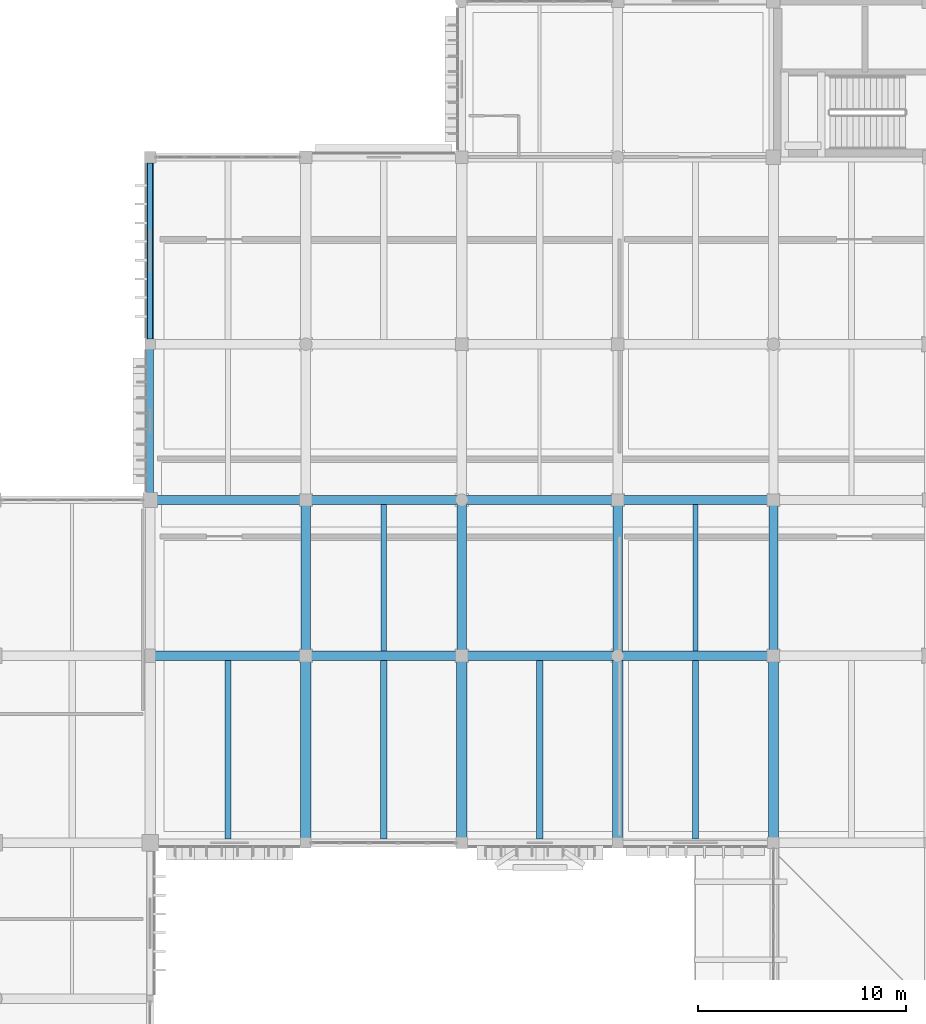
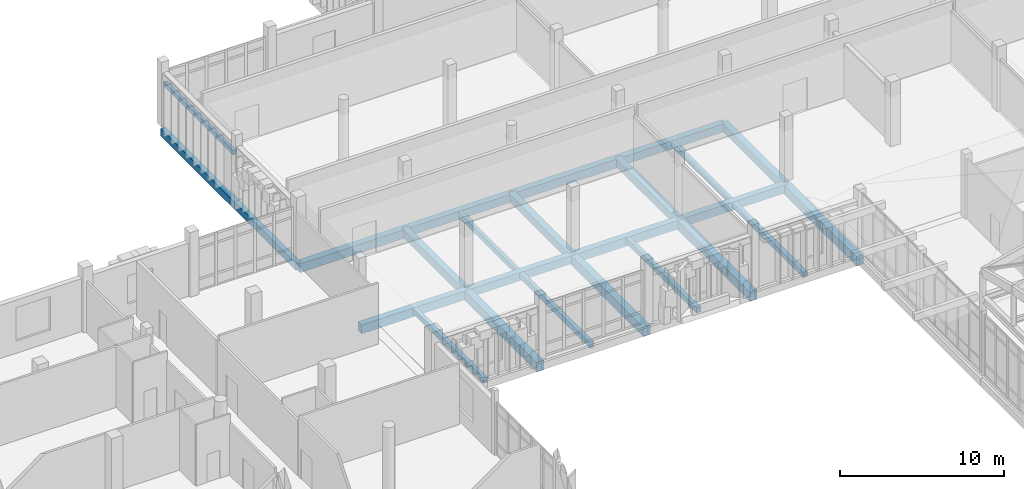
# One storey, part 55 of 131: 25 beams.
"""IFC4 building model written with IfcOpenShell, lengths in metres."""

from ifc_helpers import new_model, si_unit, direction, frame, origin, origin_2d, place, context, subcontext, project, spatial, rectangle, extrude, material, material_profile, profile_set, type_object, element, save


model = new_model("IFC4")

# Units and contexts
model_context = context("Model", 3, precision=1e-05, world=origin(), true_north=direction((0.0, 1.0)))
body_context = subcontext(model_context, "Body", "Model", "MODEL_VIEW")
ifc_project = project(units=[si_unit("LENGTHUNIT", "METRE"), si_unit("AREAUNIT", "SQUARE_METRE"), si_unit("VOLUMEUNIT", "CUBIC_METRE"), si_unit("PLANEANGLEUNIT", "RADIAN"), si_unit("MASSUNIT", "GRAM", prefix="KILO")], contexts=[model_context])

# Site, building, storey
site_placement = place(None, origin())
site = spatial("IfcSite", under=ifc_project, at=site_placement, CompositionType="ELEMENT")
building_placement = place(site_placement, origin())
building = spatial("IfcBuilding", under=site, at=building_placement, Name="Dalvernix Boulevard General Hospital", CompositionType="ELEMENT")
storey_placement = place(building_placement, frame((0.0, 0.0, 9.300048828125)))
storey = spatial("IfcBuildingStorey", under=building, at=storey_placement, Name="L02", CompositionType="ELEMENT", Elevation=9.300048828125)

# Beams
ifc_material_1 = material(Name="Concrete C35/45", Category="concrete")
ifc_material_profile_1 = material_profile(ifc_material_1, rectangle(XDim=0.5, YDim=0.699951171875, at=origin_2d()), Name="RCB 500x700")
ifc_profile_set_1 = profile_set([ifc_material_profile_1], Name="Concrete C35/45")
beam_type_1 = type_object("IfcBeamType", Name="BM-B-01-I", PredefinedType="BEAM", material=ifc_profile_set_1)
for number, where, z_axis, x_axis, name in (
    (1, (37.5, 76.5, -0.670166015625), (0.0, 1.0, 0.0), (-1.0, 0.0, 0.0), "L02 N-S girder 6:L-M"),
    (2, (45.0, 76.5, -0.670166015625), (0.0, 1.0, 0.0), (-1.0, 0.0, 0.0), "L02 N-S girder 7:L-M"),
    (3, (52.5, 76.5, -0.670166015625), (0.0, 1.0, 0.0), (-1.0, 0.0, 0.0), "L02 N-S girder 8:L-M"),
    (4, (60.0, 76.5, -0.670166015625), (0.0, 1.0, 0.0), (-1.0, 0.0, 0.0), "L02 N-S girder 9:L-M"),
):
    element("IfcBeam", number, at=place(storey_placement, frame(where, z_axis=z_axis, x_axis=x_axis)), inside=storey, type_object=beam_type_1, Name=name, PredefinedType="BEAM", context=body_context, shape_type="SweptSolid", body=[
        extrude(rectangle(XDim=0.5, YDim=0.699951171875, at=origin_2d()), origin(), (0.0, 0.0, 1.0), 9.0),
    ])
ifc_material_profile_2 = material_profile(ifc_material_1, rectangle(XDim=0.449951171875, YDim=0.64990234375, at=origin_2d()), Name="RCB 450x650")
ifc_profile_set_2 = profile_set([ifc_material_profile_2], Name="Concrete C35/45")
beam_type_2 = type_object("IfcBeamType", Name="BM-B-03-I", PredefinedType="BEAM", material=ifc_profile_set_2)
for number, where, z_axis, x_axis, name in (
    (5, (30.0, 85.5, -0.64501953125), (1.0, 0.0, 0.0), (0.0, 1.0, 0.0), "L02 E-W girder M:5-6"),
    (6, (45.0, 85.5, -0.64501953125), (1.0, 0.0, 0.0), (0.0, 1.0, 0.0), "L02 E-W girder M:7-8"),
    (7, (30.0, 93.0, -0.64501953125), (1.0, 0.0, 0.0), (0.0, 1.0, 0.0), "L02 E-W girder N:5-6"),
    (8, (45.0, 93.0, -0.64501953125), (1.0, 0.0, 0.0), (0.0, 1.0, 0.0), "L02 E-W girder N:7-8"),
):
    element("IfcBeam", number, at=place(storey_placement, frame(where, z_axis=z_axis, x_axis=x_axis)), inside=storey, type_object=beam_type_2, Name=name, PredefinedType="BEAM", context=body_context, shape_type="SweptSolid", body=[
        extrude(rectangle(XDim=0.449951171875, YDim=0.64990234375, at=origin_2d()), origin(), (0.0, 0.0, 1.0), 7.5),
    ])
ifc_material_profile_3 = material_profile(ifc_material_1, rectangle(XDim=0.449951171875, YDim=0.60009765625, at=origin_2d()), Name="RCB 450x600")
ifc_profile_set_3 = profile_set([ifc_material_profile_3], Name="Concrete C35/45")
beam_type_3 = type_object("IfcBeamType", Name="BM-B-04-I", PredefinedType="BEAM", material=ifc_profile_set_3)
for number, where, z_axis, x_axis, name in (
    (9, (37.5, 85.5, -0.6201171875), (1.0, 0.0, 0.0), (0.0, 1.0, 0.0), "L02 E-W girder M:6-7"),
    (10, (52.5, 85.5, -0.6201171875), (1.0, 0.0, 0.0), (0.0, 1.0, 0.0), "L02 E-W girder M:8-9"),
    (11, (37.5, 93.0, -0.6201171875), (1.0, 0.0, 0.0), (0.0, 1.0, 0.0), "L02 E-W girder N:6-7"),
    (12, (52.5, 93.0, -0.6201171875), (1.0, 0.0, 0.0), (0.0, 1.0, 0.0), "L02 E-W girder N:8-9"),
    (13, (37.5, 85.5, -0.6201171875), (0.0, 1.0, 0.0), (-1.0, 0.0, 0.0), "L02 N-S girder 6:M-N"),
    (14, (45.0, 85.5, -0.6201171875), (0.0, 1.0, 0.0), (-1.0, 0.0, 0.0), "L02 N-S girder 7:M-N"),
    (15, (52.5, 85.5, -0.6201171875), (0.0, 1.0, 0.0), (-1.0, 0.0, 0.0), "L02 N-S girder 8:M-N"),
    (16, (60.0, 85.5, -0.6201171875), (0.0, 1.0, 0.0), (-1.0, 0.0, 0.0), "L02 N-S girder 9:M-N"),
):
    element("IfcBeam", number, at=place(storey_placement, frame(where, z_axis=z_axis, x_axis=x_axis)), inside=storey, type_object=beam_type_3, Name=name, PredefinedType="BEAM", context=body_context, shape_type="SweptSolid", body=[
        extrude(rectangle(XDim=0.449951171875, YDim=0.60009765625, at=origin_2d()), origin(), (0.0, 0.0, 1.0), 7.5),
    ])
ifc_material_profile_4 = material_profile(ifc_material_1, rectangle(XDim=0.300048828125, YDim=0.39990234375, at=origin_2d()), Name="RCB 300x400")
ifc_profile_set_4 = profile_set([ifc_material_profile_4], Name="Concrete C35/45")
beam_type_4 = type_object("IfcBeamType", Name="BM-JB-01", PredefinedType="JOIST", material=ifc_profile_set_4)
for number, where, z_axis, x_axis, name in (
    (17, (33.75, 76.675048828125, -0.52001953125), (0.0, 1.0, 0.0), (-1.0, 0.0, 0.0), "L02 secondary floor beam 5-L"),
    (18, (41.25, 76.675048828125, -0.52001953125), (0.0, 1.0, 0.0), (-1.0, 0.0, 0.0), "L02 secondary floor beam 6-L"),
    (19, (48.75, 76.675048828125, -0.52001953125), (0.0, 1.0, 0.0), (-1.0, 0.0, 0.0), "L02 secondary floor beam 7-L"),
    (20, (56.25, 76.675048828125, -0.52001953125), (0.0, 1.0, 0.0), (-1.0, 0.0, 0.0), "L02 secondary floor beam 8-L"),
):
    element("IfcBeam", number, at=place(storey_placement, frame(where, z_axis=z_axis, x_axis=x_axis)), inside=storey, type_object=beam_type_4, Name=name, PredefinedType="JOIST", context=body_context, shape_type="SweptSolid", body=[
        extrude(rectangle(XDim=0.300048828125, YDim=0.39990234375, at=origin_2d()), origin(), (0.0, 0.0, 1.0), 8.599853515625),
    ])
ifc_material_profile_5 = material_profile(ifc_material_1, rectangle(XDim=0.25, YDim=0.39990234375, at=origin_2d()), Name="RCB 250x400")
ifc_profile_set_5 = profile_set([ifc_material_profile_5], Name="Concrete C35/45")
beam_type_5 = type_object("IfcBeamType", Name="BM-JB-02", PredefinedType="JOIST", material=ifc_profile_set_5)
for number, where, z_axis, x_axis, name in (
    (21, (41.25, 85.72509765625, -0.52001953125), (0.0, 1.0, 0.0), (-1.0, 0.0, 0.0), "L02 secondary floor beam 6-M"),
    (22, (56.25, 85.72509765625, -0.52001953125), (0.0, 1.0, 0.0), (-1.0, 0.0, 0.0), "L02 secondary floor beam 8-M"),
):
    element("IfcBeam", number, at=place(storey_placement, frame(where, z_axis=z_axis, x_axis=x_axis)), inside=storey, type_object=beam_type_5, Name=name, PredefinedType="JOIST", context=body_context, shape_type="SweptSolid", body=[
        extrude(rectangle(XDim=0.25, YDim=0.39990234375, at=origin_2d()), origin(), (0.0, 0.0, 1.0), 7.0498046875),
    ])
ifc_material_2 = material(Name="Precast concrete C40/50", Category="concrete")
ifc_material_profile_6 = material_profile(ifc_material_2, rectangle(XDim=0.25, YDim=0.320068359375, at=origin_2d()), Name="RCL 250x320")
ifc_profile_set_6 = profile_set([ifc_material_profile_6], Name="Precast concrete C40/50")
beam_type_6 = type_object("IfcBeamType", Name="BM-LB-01", PredefinedType="LINTEL", material=ifc_profile_set_6)
beam_1_placement = place(storey_placement, frame((30.0, 100.760009765625, 3.159912109375), z_axis=(0.0, 1.0, 0.0), x_axis=(-1.0, 0.0, 0.0)))
element("IfcBeam", 23, at=beam_1_placement, inside=storey, type_object=beam_type_6, Name="L02 precast window lintel W 4-13", PredefinedType="LINTEL", context=body_context, shape_type="SweptSolid", body=[
    extrude(rectangle(XDim=0.25, YDim=0.320068359375, at=origin_2d()), origin(), (0.0, 0.0, 1.0), 8.455078125),
])
ifc_material_profile_7 = material_profile(ifc_material_1, rectangle(XDim=0.35009765625, YDim=0.550048828125, at=origin_2d()), Name="RCB 350x550")
ifc_profile_set_7 = profile_set([ifc_material_profile_7], Name="Concrete C35/45")
beam_type_7 = type_object("IfcBeamType", Name="BM-SB-01-E", PredefinedType="SPANDREL", material=ifc_profile_set_7)
beam_2_placement = place(storey_placement, frame((30.0, 93.0, -0.594970703125), z_axis=(0.0, 1.0, 0.0), x_axis=(-1.0, 0.0, 0.0)))
element("IfcBeam", 24, at=beam_2_placement, inside=storey, type_object=beam_type_7, Name="L02 N-S girder 5:N-P", PredefinedType="SPANDREL", context=body_context, shape_type="SweptSolid", body=[
    extrude(rectangle(XDim=0.35009765625, YDim=0.550048828125, at=origin_2d()), origin(), (0.0, 0.0, 1.0), 7.5),
])
beam_3_placement = place(storey_placement, frame((30.0, 100.5, -0.594970703125), z_axis=(0.0, 1.0, 0.0), x_axis=(-1.0, 0.0, 0.0)))
element("IfcBeam", 25, at=beam_3_placement, inside=storey, type_object=beam_type_7, Name="L02 N-S girder 5:P-Q", PredefinedType="SPANDREL", context=body_context, shape_type="SweptSolid", body=[
    extrude(rectangle(XDim=0.35009765625, YDim=0.550048828125, at=origin_2d()), origin(), (0.0, 0.0, 1.0), 9.0),
])

save(model, "model.ifc")
